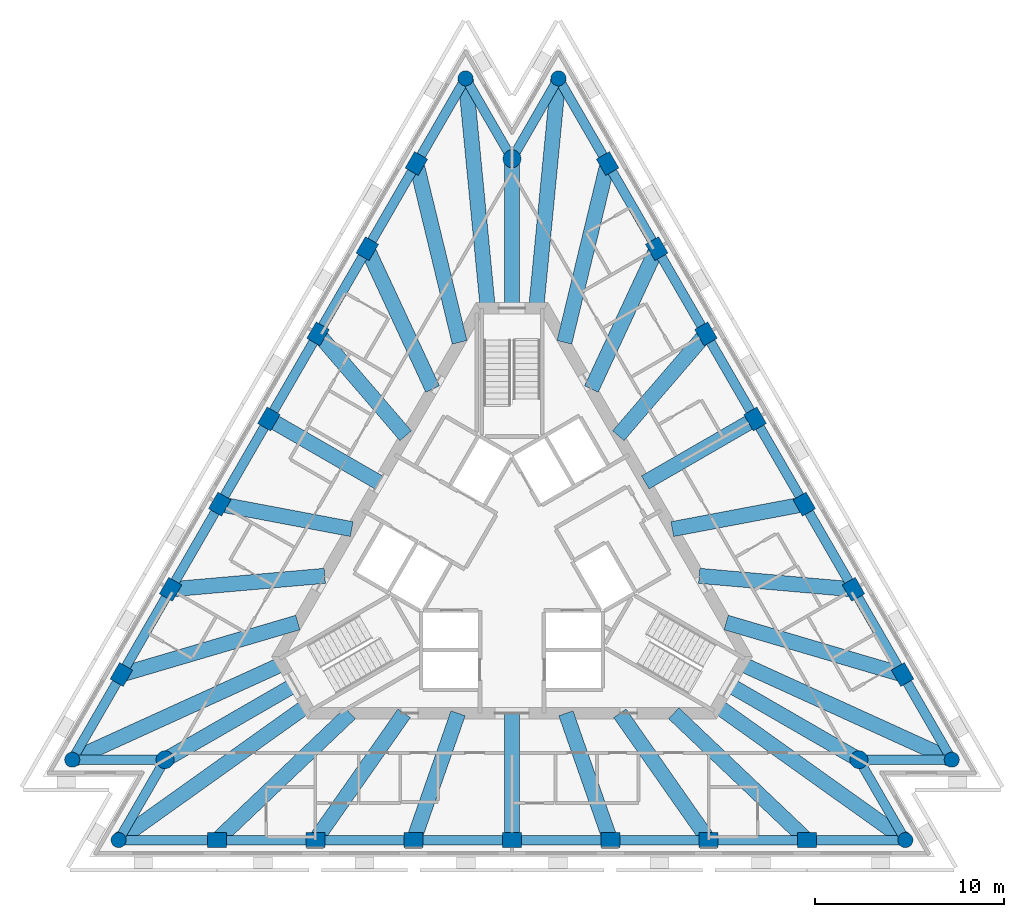
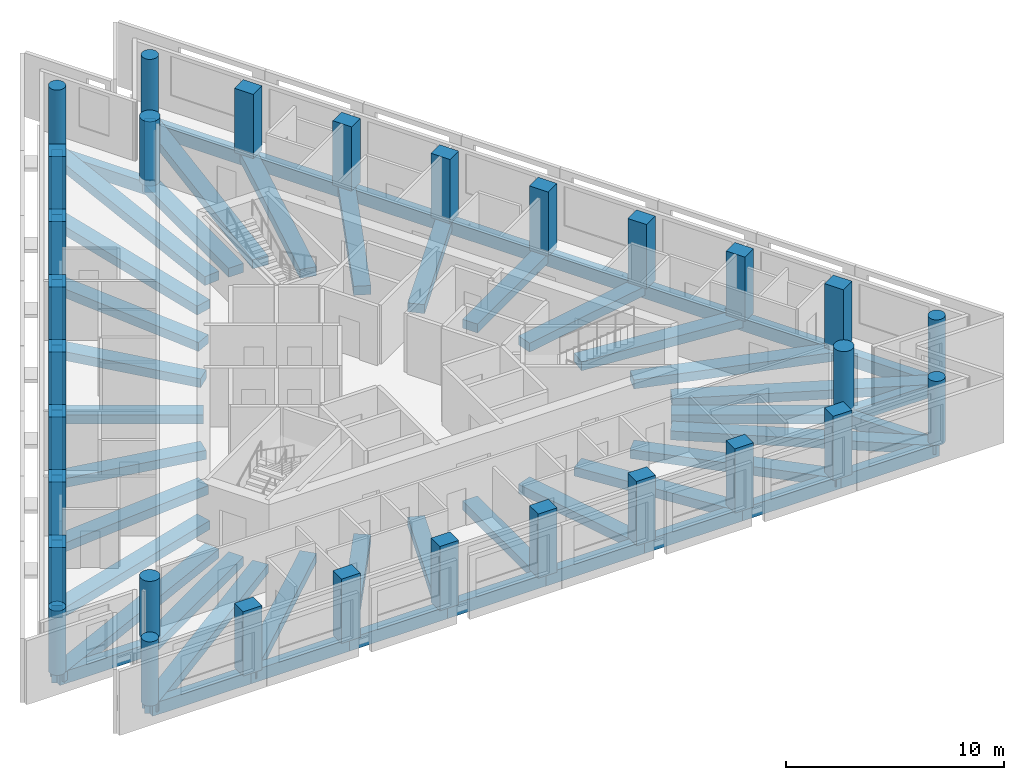
# One storey, part 1 of 10: 60 beams, 30 columns.
"""IFC4 building model written with IfcOpenShell, lengths in metres."""

from ifc_helpers import new_model, si_unit, direction, frame, origin, origin_2d, place, context, subcontext, project, spatial, rectangle, circle, extrude, material, material_profile, profile_set, type_object, element, save


model = new_model("IFC4")

# Units and contexts
model_context = context("Model", 3, precision=1e-05, world=origin(), true_north=direction((0.0, 1.0)))
body_context = subcontext(model_context, "Body", "Model", "MODEL_VIEW")
ifc_project = project(units=[si_unit("LENGTHUNIT", "METRE"), si_unit("AREAUNIT", "SQUARE_METRE"), si_unit("VOLUMEUNIT", "CUBIC_METRE"), si_unit("PLANEANGLEUNIT", "RADIAN"), si_unit("MASSUNIT", "GRAM", prefix="KILO")], contexts=[model_context])

# Site, building, storey
site_placement = place(None, origin())
site = spatial("IfcSite", under=ifc_project, at=site_placement, CompositionType="ELEMENT")
building_placement = place(site_placement, origin())
building = spatial("IfcBuilding", under=site, at=building_placement, Name="Triada Interchange Tower", CompositionType="ELEMENT")
storey_placement = place(building_placement, frame((0.0, 0.0, 315.10009765625)))
storey = spatial("IfcBuildingStorey", under=building, at=storey_placement, Name="L75", CompositionType="ELEMENT", Elevation=315.10009765625)

# Columns
ifc_material_1 = material(Name="Concrete C40/50", Category="concrete")
ifc_material_profile_1 = material_profile(ifc_material_1, rectangle(XDim=1.0, YDim=0.800048828125, at=origin_2d()), Name="RC 1000x800")
ifc_profile_set_1 = profile_set([ifc_material_profile_1], Name="Concrete C40/50")
column_type_1 = type_object("IfcColumnType", Name="Column D face RC 1000x800", PredefinedType="COLUMN", material=ifc_profile_set_1)
for number, where, z_axis, x_axis, name in (
    (1, (-5.06103515625, 20.9599609375, -0.300048828125), (0.0, 0.0, 1.0), (0.5, 0.866025403784, 0.0), "Column CD02 L75"),
    (2, (-7.6640625, 16.450927734375, -0.300048828125), (0.0, 0.0, 1.0), (0.5, 0.866025403784, 0.0), "Column CD03 L75"),
    (3, (-10.26806640625, 11.94091796875, -0.300048828125), (0.0, 0.0, 1.0), (0.5, 0.866025403784, 0.0), "Column CD04 L75"),
    (4, (-12.8720703125, 7.431884765625, -0.300048828125), (0.0, 0.0, 1.0), (0.5, 0.866025403784, 0.0), "Column CD05 L75"),
    (5, (-15.47509765625, 2.922119140625, -0.300048828125), (0.0, 0.0, 1.0), (0.5, 0.866025403784, 0.0), "Column CD06 L75"),
    (6, (-18.0791015625, -1.587890625, -0.300048828125), (0.0, 0.0, 1.0), (0.5, 0.866025403784, 0.0), "Column CD07 L75"),
    (7, (-20.681884765625, -6.096923828125, -0.300048828125), (0.0, 0.0, 1.0), (0.5, 0.866025403784, 0.0), "Column CD08 L75"),
    (8, (-15.6220703125, -14.863037109375, -0.300048828125), (0.0, 0.0, 1.0), (1.0, 0.0, 0.0), "Column CD11 L75"),
    (9, (-10.4140625, -14.863037109375, -0.300048828125), (0.0, 0.0, 1.0), (1.0, 0.0, 0.0), "Column CD12 L75"),
    (10, (-5.20703125, -14.863037109375, -0.300048828125), (0.0, 0.0, 1.0), (1.0, 0.0, 0.0), "Column CD13 L75"),
    (11, (0.0, -14.863037109375, -0.300048828125), (0.0, 0.0, 1.0), (1.0, 0.0, 0.0), "Column CD14 L75"),
    (12, (5.20703125, -14.863037109375, -0.300048828125), (0.0, 0.0, 1.0), (1.0, 0.0, 0.0), "Column CD15 L75"),
    (13, (10.4140625, -14.863037109375, -0.300048828125), (0.0, 0.0, 1.0), (1.0, 0.0, 0.0), "Column CD16 L75"),
    (14, (15.6220703125, -14.863037109375, -0.300048828125), (0.0, 0.0, 1.0), (1.0, 0.0, 0.0), "Column CD17 L75"),
    (15, (20.681884765625, -6.096923828125, -0.300048828125), (0.0, 0.0, 1.0), (-0.5, 0.866025403784, 0.0), "Column CD20 L75"),
    (16, (18.0791015625, -1.587890625, -0.300048828125), (0.0, 0.0, 1.0), (-0.5, 0.866025403784, 0.0), "Column CD21 L75"),
    (17, (15.47509765625, 2.922119140625, -0.300048828125), (0.0, 0.0, 1.0), (-0.5, 0.866025403784, 0.0), "Column CD22 L75"),
    (18, (12.8720703125, 7.431884765625, -0.300048828125), (0.0, 0.0, 1.0), (-0.5, 0.866025403784, 0.0), "Column CD23 L75"),
    (19, (10.26806640625, 11.94091796875, -0.300048828125), (0.0, 0.0, 1.0), (-0.5, 0.866025403784, 0.0), "Column CD24 L75"),
    (20, (7.6640625, 16.450927734375, -0.300048828125), (0.0, 0.0, 1.0), (-0.5, 0.866025403784, 0.0), "Column CD25 L75"),
    (21, (5.06103515625, 20.9599609375, -0.300048828125), (0.0, 0.0, 1.0), (-0.5, 0.866025403784, 0.0), "Column CD26 L75"),
):
    element("IfcColumn", number, at=place(storey_placement, frame(where, z_axis=z_axis, x_axis=x_axis)), inside=storey, type_object=column_type_1, Name=name, PredefinedType="COLUMN", context=body_context, shape_type="SweptSolid", body=[
        extrude(rectangle(XDim=1.0, YDim=0.800048828125, at=origin_2d()), origin(), (0.0, 0.0, 1.0), 3.599853515625),
    ])
ifc_material_profile_2 = material_profile(ifc_material_1, circle(Radius=0.39990234375, at=origin_2d()), Name="RC D800")
ifc_profile_set_2 = profile_set([ifc_material_profile_2], Name="Concrete C40/50")
column_type_2 = type_object("IfcColumnType", Name="End column D RC D800", PredefinedType="COLUMN", material=ifc_profile_set_2)
for number, where, z_axis, x_axis, name in (
    (22, (-2.45703125, 25.469970703125, -0.300048828125), (0.0, 0.0, 1.0), (0.5, 0.866025403784, 0.0), "Column CD01 L75"),
    (23, (-23.285888671875, -10.60693359375, -0.300048828125), (0.0, 0.0, 1.0), (0.5, 0.866025403784, 0.0), "Column CD09 L75"),
    (24, (-20.8291015625, -14.863037109375, -0.300048828125), (0.0, 0.0, 1.0), (1.0, 0.0, 0.0), "Column CD10 L75"),
    (25, (20.8291015625, -14.863037109375, -0.300048828125), (0.0, 0.0, 1.0), (1.0, 0.0, 0.0), "Column CD18 L75"),
    (26, (23.285888671875, -10.60693359375, -0.300048828125), (0.0, 0.0, 1.0), (-0.5, 0.866025403784, 0.0), "Column CD19 L75"),
    (27, (2.45703125, 25.469970703125, -0.300048828125), (0.0, 0.0, 1.0), (-0.5, 0.866025403784, 0.0), "Column CD27 L75"),
):
    element("IfcColumn", number, at=place(storey_placement, frame(where, z_axis=z_axis, x_axis=x_axis)), inside=storey, type_object=column_type_2, Name=name, PredefinedType="COLUMN", context=body_context, shape_type="SweptSolid", body=[
        extrude(circle(Radius=0.39990234375, at=origin_2d()), origin(), (0.0, 0.0, 1.0), 3.599853515625),
    ])
ifc_material_profile_3 = material_profile(ifc_material_1, circle(Radius=0.47509765625, at=origin_2d()), Name="RC D950")
ifc_profile_set_3 = profile_set([ifc_material_profile_3], Name="Concrete C40/50")
column_type_3 = type_object("IfcColumnType", Name="Mega column D RC D950", PredefinedType="COLUMN", material=ifc_profile_set_3)
for number, where, z_axis, x_axis, name in (
    (28, (0.0, 21.214111328125, -0.300048828125), (0.0, 0.0, 1.0), (1.0, 0.0, 0.0), "Column MD1 L75"),
    (29, (-18.3720703125, -10.60693359375, -0.300048828125), (0.0, 0.0, 1.0), (1.0, 0.0, 0.0), "Column MD2 L75"),
    (30, (18.3720703125, -10.60693359375, -0.300048828125), (0.0, 0.0, 1.0), (1.0, 0.0, 0.0), "Column MD3 L75"),
):
    element("IfcColumn", number, at=place(storey_placement, frame(where, z_axis=z_axis, x_axis=x_axis)), inside=storey, type_object=column_type_3, Name=name, PredefinedType="COLUMN", context=body_context, shape_type="SweptSolid", body=[
        extrude(circle(Radius=0.47509765625, at=origin_2d()), origin(), (0.0, 0.0, 1.0), 3.599853515625),
    ])

# Beams
ifc_material_2 = material(Name="Concrete C50/60", Category="concrete")
ifc_material_profile_4 = material_profile(ifc_material_2, rectangle(XDim=0.800048828125, YDim=0.5, at=origin_2d()), Name="RC 800x500")
ifc_profile_set_4 = profile_set([ifc_material_profile_4], Name="Concrete C50/60")
beam_type_1 = type_object("IfcBeamType", Name="Radial band beam D RC 800x500", PredefinedType="BEAM", material=ifc_profile_set_4)
beam_1_placement = place(storey_placement, frame((-2.45703125, 25.469970703125, -0.550048828125), z_axis=(0.09602744551, -0.995378686586, 0.0), x_axis=(0.995378686586, 0.09602744551, 0.0)))
element("IfcBeam", 31, at=beam_1_placement, inside=storey, type_object=beam_type_1, Name="Radial band beam BD01 L75", PredefinedType="BEAM", context=body_context, shape_type="SweptSolid", body=[
    extrude(rectangle(XDim=0.800048828125, YDim=0.5, at=origin_2d()), origin(), (0.0, 0.0, 1.0), 12.226318359375),
])
beam_2_placement = place(storey_placement, frame((-5.06103515625, 20.9599609375, -0.550048828125), z_axis=(0.234736099934, -0.972059135746, 0.0), x_axis=(0.972059135746, 0.234736099934, 0.0)))
element("IfcBeam", 32, at=beam_2_placement, inside=storey, type_object=beam_type_1, Name="Radial band beam BD02 L75", PredefinedType="BEAM", context=body_context, shape_type="SweptSolid", body=[
    extrude(rectangle(XDim=0.800048828125, YDim=0.5, at=origin_2d()), origin(), (0.0, 0.0, 1.0), 9.7392578125),
])
beam_3_placement = place(storey_placement, frame((-7.6640625, 16.450927734375, -0.550048828125), z_axis=(0.422272260862, -0.906469049503, 0.0), x_axis=(0.906469049503, 0.422272260862, 0.0)))
element("IfcBeam", 33, at=beam_3_placement, inside=storey, type_object=beam_type_1, Name="Radial band beam BD03 L75", PredefinedType="BEAM", context=body_context, shape_type="SweptSolid", body=[
    extrude(rectangle(XDim=0.800048828125, YDim=0.5, at=origin_2d()), origin(), (0.0, 0.0, 1.0), 8.196533203125),
])
beam_4_placement = place(storey_placement, frame((-10.26806640625, 11.94091796875, -0.550048828125), z_axis=(0.652068074726, -0.758160422288, 0.0), x_axis=(0.758160422288, 0.652068074726, 0.0)))
element("IfcBeam", 34, at=beam_4_placement, inside=storey, type_object=beam_type_1, Name="Radial band beam BD04 L75", PredefinedType="BEAM", context=body_context, shape_type="SweptSolid", body=[
    extrude(rectangle(XDim=0.800048828125, YDim=0.5, at=origin_2d()), origin(), (0.0, 0.0, 1.0), 7.113037109375),
])
beam_5_placement = place(storey_placement, frame((-12.8720703125, 7.431884765625, -0.550048828125), z_axis=(0.86600996069, -0.50002674727, 0.0), x_axis=(0.50002674727, 0.86600996069, 0.0)))
element("IfcBeam", 35, at=beam_5_placement, inside=storey, type_object=beam_type_1, Name="Radial band beam BD05 L75", PredefinedType="BEAM", context=body_context, shape_type="SweptSolid", body=[
    extrude(rectangle(XDim=0.800048828125, YDim=0.5, at=origin_2d()), origin(), (0.0, 0.0, 1.0), 6.713623046875),
])
beam_6_placement = place(storey_placement, frame((-15.47509765625, 2.922119140625, -0.550048828125), z_axis=(0.982626118803, -0.185596095447, 0.0), x_axis=(0.185596095447, 0.982626118803, 0.0)))
element("IfcBeam", 36, at=beam_6_placement, inside=storey, type_object=beam_type_1, Name="Radial band beam BD06 L75", PredefinedType="BEAM", context=body_context, shape_type="SweptSolid", body=[
    extrude(rectangle(XDim=0.800048828125, YDim=0.5, at=origin_2d()), origin(), (0.0, 0.0, 1.0), 7.112548828125),
])
beam_7_placement = place(storey_placement, frame((-18.0791015625, -1.587890625, -0.550048828125), z_axis=(0.996169628098, 0.087441820979, 0.0), x_axis=(-0.087441820979, 0.996169628098, 0.0)))
element("IfcBeam", 37, at=beam_7_placement, inside=storey, type_object=beam_type_1, Name="Radial band beam BD07 L75", PredefinedType="BEAM", context=body_context, shape_type="SweptSolid", body=[
    extrude(rectangle(XDim=0.800048828125, YDim=0.5, at=origin_2d()), origin(), (0.0, 0.0, 1.0), 8.197509765625),
])
beam_8_placement = place(storey_placement, frame((-20.681884765625, -6.096923828125, -0.550048828125), z_axis=(0.959181663984, 0.282790621269, 0.0), x_axis=(-0.282790621269, 0.959181663984, 0.0)))
element("IfcBeam", 38, at=beam_8_placement, inside=storey, type_object=beam_type_1, Name="Radial band beam BD08 L75", PredefinedType="BEAM", context=body_context, shape_type="SweptSolid", body=[
    extrude(rectangle(XDim=0.800048828125, YDim=0.5, at=origin_2d()), origin(), (0.0, 0.0, 1.0), 9.73828125),
])
beam_9_placement = place(storey_placement, frame((-23.285888671875, -10.60693359375, -0.550048828125), z_axis=(0.910039299284, 0.414521982238, 0.0), x_axis=(-0.414521982238, 0.910039299284, 0.0)))
element("IfcBeam", 39, at=beam_9_placement, inside=storey, type_object=beam_type_1, Name="Radial band beam BD09 L75", PredefinedType="BEAM", context=body_context, shape_type="SweptSolid", body=[
    extrude(rectangle(XDim=0.800048828125, YDim=0.5, at=origin_2d()), origin(), (0.0, 0.0, 1.0), 12.225830078125),
])
beam_10_placement = place(storey_placement, frame((-18.3720703125, -10.60693359375, -0.550048828125), z_axis=(0.866032502725, 0.499987704073, 0.0), x_axis=(-0.499987704073, 0.866032502725, 0.0)))
element("IfcBeam", 40, at=beam_10_placement, inside=storey, type_object=beam_type_1, Name="Radial band beam BD10 L75", PredefinedType="BEAM", context=body_context, shape_type="SweptSolid", body=[
    extrude(rectangle(XDim=0.800048828125, YDim=0.5, at=origin_2d()), origin(), (0.0, 0.0, 1.0), 7.914306640625),
])
beam_11_placement = place(storey_placement, frame((-20.8291015625, -14.863037109375, -0.550048828125), z_axis=(0.814016690787, 0.580841481922, 0.0), x_axis=(-0.580841481922, 0.814016690787, 0.0)))
element("IfcBeam", 41, at=beam_11_placement, inside=storey, type_object=beam_type_1, Name="Radial band beam BD11 L75", PredefinedType="BEAM", context=body_context, shape_type="SweptSolid", body=[
    extrude(rectangle(XDim=0.800048828125, YDim=0.5, at=origin_2d()), origin(), (0.0, 0.0, 1.0), 12.227294921875),
])
beam_12_placement = place(storey_placement, frame((-15.6220703125, -14.863037109375, -0.550048828125), z_axis=(0.724497300628, 0.689277637373, 0.0), x_axis=(-0.689277637373, 0.724497300628, 0.0)))
element("IfcBeam", 42, at=beam_12_placement, inside=storey, type_object=beam_type_1, Name="Radial band beam BD12 L75", PredefinedType="BEAM", context=body_context, shape_type="SweptSolid", body=[
    extrude(rectangle(XDim=0.800048828125, YDim=0.5, at=origin_2d()), origin(), (0.0, 0.0, 1.0), 9.7392578125),
])
beam_13_placement = place(storey_placement, frame((-10.4140625, -14.863037109375, -0.550048828125), z_axis=(0.573864049715, 0.818950579977, 0.0), x_axis=(-0.818950579977, 0.573864049715, 0.0)))
element("IfcBeam", 43, at=beam_13_placement, inside=storey, type_object=beam_type_1, Name="Radial band beam BD13 L75", PredefinedType="BEAM", context=body_context, shape_type="SweptSolid", body=[
    extrude(rectangle(XDim=0.800048828125, YDim=0.5, at=origin_2d()), origin(), (0.0, 0.0, 1.0), 8.197265625),
])
beam_14_placement = place(storey_placement, frame((-5.20703125, -14.863037109375, -0.550048828125), z_axis=(0.330657699543, 0.94375075403, 0.0), x_axis=(-0.94375075403, 0.330657699543, 0.0)))
element("IfcBeam", 44, at=beam_14_placement, inside=storey, type_object=beam_type_1, Name="Radial band beam BD14 L75", PredefinedType="BEAM", context=body_context, shape_type="SweptSolid", body=[
    extrude(rectangle(XDim=0.800048828125, YDim=0.5, at=origin_2d()), origin(), (0.0, 0.0, 1.0), 7.11328125),
])
beam_15_placement = place(storey_placement, frame((0.0, -14.863037109375, -0.550048828125), z_axis=(0.0, 1.0, 0.0), x_axis=(-1.0, 0.0, 0.0)))
element("IfcBeam", 45, at=beam_15_placement, inside=storey, type_object=beam_type_1, Name="Radial band beam BD15 L75", PredefinedType="BEAM", context=body_context, shape_type="SweptSolid", body=[
    extrude(rectangle(XDim=0.800048828125, YDim=0.5, at=origin_2d()), origin(), (0.0, 0.0, 1.0), 6.713134765625),
])
beam_16_placement = place(storey_placement, frame((5.20703125, -14.863037109375, -0.550048828125), z_axis=(-0.330657699543, 0.94375075403, 0.0), x_axis=(-0.94375075403, -0.330657699543, 0.0)))
element("IfcBeam", 46, at=beam_16_placement, inside=storey, type_object=beam_type_1, Name="Radial band beam BD16 L75", PredefinedType="BEAM", context=body_context, shape_type="SweptSolid", body=[
    extrude(rectangle(XDim=0.800048828125, YDim=0.5, at=origin_2d()), origin(), (0.0, 0.0, 1.0), 7.11328125),
])
beam_17_placement = place(storey_placement, frame((10.4140625, -14.863037109375, -0.550048828125), z_axis=(-0.573864049715, 0.818950579977, 0.0), x_axis=(-0.818950579977, -0.573864049715, 0.0)))
element("IfcBeam", 47, at=beam_17_placement, inside=storey, type_object=beam_type_1, Name="Radial band beam BD17 L75", PredefinedType="BEAM", context=body_context, shape_type="SweptSolid", body=[
    extrude(rectangle(XDim=0.800048828125, YDim=0.5, at=origin_2d()), origin(), (0.0, 0.0, 1.0), 8.197265625),
])
beam_18_placement = place(storey_placement, frame((15.6220703125, -14.863037109375, -0.550048828125), z_axis=(-0.724497300628, 0.689277637373, 0.0), x_axis=(-0.689277637373, -0.724497300628, 0.0)))
element("IfcBeam", 48, at=beam_18_placement, inside=storey, type_object=beam_type_1, Name="Radial band beam BD18 L75", PredefinedType="BEAM", context=body_context, shape_type="SweptSolid", body=[
    extrude(rectangle(XDim=0.800048828125, YDim=0.5, at=origin_2d()), origin(), (0.0, 0.0, 1.0), 9.7392578125),
])
beam_19_placement = place(storey_placement, frame((20.8291015625, -14.863037109375, -0.550048828125), z_axis=(-0.814016690787, 0.580841481922, 0.0), x_axis=(-0.580841481922, -0.814016690787, 0.0)))
element("IfcBeam", 49, at=beam_19_placement, inside=storey, type_object=beam_type_1, Name="Radial band beam BD19 L75", PredefinedType="BEAM", context=body_context, shape_type="SweptSolid", body=[
    extrude(rectangle(XDim=0.800048828125, YDim=0.5, at=origin_2d()), origin(), (0.0, 0.0, 1.0), 12.227294921875),
])
beam_20_placement = place(storey_placement, frame((18.3720703125, -10.60693359375, -0.550048828125), z_axis=(-0.866032502725, 0.499987704073, 0.0), x_axis=(-0.499987704073, -0.866032502725, 0.0)))
element("IfcBeam", 50, at=beam_20_placement, inside=storey, type_object=beam_type_1, Name="Radial band beam BD20 L75", PredefinedType="BEAM", context=body_context, shape_type="SweptSolid", body=[
    extrude(rectangle(XDim=0.800048828125, YDim=0.5, at=origin_2d()), origin(), (0.0, 0.0, 1.0), 7.914306640625),
])
beam_21_placement = place(storey_placement, frame((23.285888671875, -10.60693359375, -0.550048828125), z_axis=(-0.910039299284, 0.414521982238, 0.0), x_axis=(-0.414521982238, -0.910039299284, 0.0)))
element("IfcBeam", 51, at=beam_21_placement, inside=storey, type_object=beam_type_1, Name="Radial band beam BD21 L75", PredefinedType="BEAM", context=body_context, shape_type="SweptSolid", body=[
    extrude(rectangle(XDim=0.800048828125, YDim=0.5, at=origin_2d()), origin(), (0.0, 0.0, 1.0), 12.225830078125),
])
beam_22_placement = place(storey_placement, frame((20.681884765625, -6.096923828125, -0.550048828125), z_axis=(-0.959181663984, 0.282790621269, 0.0), x_axis=(-0.282790621269, -0.959181663984, 0.0)))
element("IfcBeam", 52, at=beam_22_placement, inside=storey, type_object=beam_type_1, Name="Radial band beam BD22 L75", PredefinedType="BEAM", context=body_context, shape_type="SweptSolid", body=[
    extrude(rectangle(XDim=0.800048828125, YDim=0.5, at=origin_2d()), origin(), (0.0, 0.0, 1.0), 9.73828125),
])
beam_23_placement = place(storey_placement, frame((18.0791015625, -1.587890625, -0.550048828125), z_axis=(-0.996169628098, 0.087441820979, 0.0), x_axis=(-0.087441820979, -0.996169628098, 0.0)))
element("IfcBeam", 53, at=beam_23_placement, inside=storey, type_object=beam_type_1, Name="Radial band beam BD23 L75", PredefinedType="BEAM", context=body_context, shape_type="SweptSolid", body=[
    extrude(rectangle(XDim=0.800048828125, YDim=0.5, at=origin_2d()), origin(), (0.0, 0.0, 1.0), 8.197509765625),
])
beam_24_placement = place(storey_placement, frame((15.47509765625, 2.922119140625, -0.550048828125), z_axis=(-0.982626118803, -0.185596095447, 0.0), x_axis=(0.185596095447, -0.982626118803, 0.0)))
element("IfcBeam", 54, at=beam_24_placement, inside=storey, type_object=beam_type_1, Name="Radial band beam BD24 L75", PredefinedType="BEAM", context=body_context, shape_type="SweptSolid", body=[
    extrude(rectangle(XDim=0.800048828125, YDim=0.5, at=origin_2d()), origin(), (0.0, 0.0, 1.0), 7.112548828125),
])
beam_25_placement = place(storey_placement, frame((12.8720703125, 7.431884765625, -0.550048828125), z_axis=(-0.86600996069, -0.50002674727, 0.0), x_axis=(0.50002674727, -0.86600996069, 0.0)))
element("IfcBeam", 55, at=beam_25_placement, inside=storey, type_object=beam_type_1, Name="Radial band beam BD25 L75", PredefinedType="BEAM", context=body_context, shape_type="SweptSolid", body=[
    extrude(rectangle(XDim=0.800048828125, YDim=0.5, at=origin_2d()), origin(), (0.0, 0.0, 1.0), 6.713623046875),
])
beam_26_placement = place(storey_placement, frame((10.26806640625, 11.94091796875, -0.550048828125), z_axis=(-0.652068074726, -0.758160422288, 0.0), x_axis=(0.758160422288, -0.652068074726, 0.0)))
element("IfcBeam", 56, at=beam_26_placement, inside=storey, type_object=beam_type_1, Name="Radial band beam BD26 L75", PredefinedType="BEAM", context=body_context, shape_type="SweptSolid", body=[
    extrude(rectangle(XDim=0.800048828125, YDim=0.5, at=origin_2d()), origin(), (0.0, 0.0, 1.0), 7.113037109375),
])
beam_27_placement = place(storey_placement, frame((7.6640625, 16.450927734375, -0.550048828125), z_axis=(-0.422272260862, -0.906469049503, 0.0), x_axis=(0.906469049503, -0.422272260862, 0.0)))
element("IfcBeam", 57, at=beam_27_placement, inside=storey, type_object=beam_type_1, Name="Radial band beam BD27 L75", PredefinedType="BEAM", context=body_context, shape_type="SweptSolid", body=[
    extrude(rectangle(XDim=0.800048828125, YDim=0.5, at=origin_2d()), origin(), (0.0, 0.0, 1.0), 8.196533203125),
])
beam_28_placement = place(storey_placement, frame((5.06103515625, 20.9599609375, -0.550048828125), z_axis=(-0.234736099934, -0.972059135746, 0.0), x_axis=(0.972059135746, -0.234736099934, 0.0)))
element("IfcBeam", 58, at=beam_28_placement, inside=storey, type_object=beam_type_1, Name="Radial band beam BD28 L75", PredefinedType="BEAM", context=body_context, shape_type="SweptSolid", body=[
    extrude(rectangle(XDim=0.800048828125, YDim=0.5, at=origin_2d()), origin(), (0.0, 0.0, 1.0), 9.7392578125),
])
beam_29_placement = place(storey_placement, frame((2.45703125, 25.469970703125, -0.550048828125), z_axis=(-0.09602744551, -0.995378686586, 0.0), x_axis=(0.995378686586, -0.09602744551, 0.0)))
element("IfcBeam", 59, at=beam_29_placement, inside=storey, type_object=beam_type_1, Name="Radial band beam BD29 L75", PredefinedType="BEAM", context=body_context, shape_type="SweptSolid", body=[
    extrude(rectangle(XDim=0.800048828125, YDim=0.5, at=origin_2d()), origin(), (0.0, 0.0, 1.0), 12.226318359375),
])
beam_30_placement = place(storey_placement, frame((0.0, 21.214111328125, -0.550048828125), z_axis=(0.0, -1.0, 0.0), x_axis=(1.0, 0.0, 0.0)))
element("IfcBeam", 60, at=beam_30_placement, inside=storey, type_object=beam_type_1, Name="Radial band beam BD30 L75", PredefinedType="BEAM", context=body_context, shape_type="SweptSolid", body=[
    extrude(rectangle(XDim=0.800048828125, YDim=0.5, at=origin_2d()), origin(), (0.0, 0.0, 1.0), 7.9140625),
])
ifc_material_profile_5 = material_profile(ifc_material_2, rectangle(XDim=0.5, YDim=0.699951171875, at=origin_2d()), Name="RC 500x700")
ifc_profile_set_5 = profile_set([ifc_material_profile_5], Name="Concrete C50/60")
beam_type_2 = type_object("IfcBeamType", Name="Spandrel beam D RC 500x700", PredefinedType="BEAM", material=ifc_profile_set_5)
beam_31_placement = place(storey_placement, frame((-2.45703125, 25.469970703125, -0.650146484375), z_axis=(-0.500021393879, -0.866013051671, 0.0), x_axis=(0.866013051671, -0.500021393879, 0.0)))
element("IfcBeam", 61, at=beam_31_placement, inside=storey, type_object=beam_type_2, Name="Spandrel beam ED01 L75", PredefinedType="BEAM", context=body_context, shape_type="SweptSolid", body=[
    extrude(rectangle(XDim=0.5, YDim=0.699951171875, at=origin_2d()), origin(), (0.0, 0.0, 1.0), 5.207763671875),
])
beam_32_placement = place(storey_placement, frame((-5.06103515625, 20.9599609375, -0.650146484375), z_axis=(-0.499961942423, -0.866047375222, 0.0), x_axis=(0.866047375222, -0.499961942423, 0.0)))
element("IfcBeam", 62, at=beam_32_placement, inside=storey, type_object=beam_type_2, Name="Spandrel beam ED02 L75", PredefinedType="BEAM", context=body_context, shape_type="SweptSolid", body=[
    extrude(rectangle(XDim=0.5, YDim=0.699951171875, at=origin_2d()), origin(), (0.0, 0.0, 1.0), 5.20654296875),
])
beam_33_placement = place(storey_placement, frame((-7.6640625, 16.450927734375, -0.650146484375), z_axis=(-0.500021393879, -0.866013051671, 0.0), x_axis=(0.866013051671, -0.500021393879, 0.0)))
element("IfcBeam", 63, at=beam_33_placement, inside=storey, type_object=beam_type_2, Name="Spandrel beam ED03 L75", PredefinedType="BEAM", context=body_context, shape_type="SweptSolid", body=[
    extrude(rectangle(XDim=0.5, YDim=0.699951171875, at=origin_2d()), origin(), (0.0, 0.0, 1.0), 5.207763671875),
])
for number, where, z_axis, x_axis, name in (
    (64, (-10.26806640625, 11.94091796875, -0.650146484375), (-0.500102605615, -0.8659661563, 0.0), (0.8659661563, -0.500102605615, 0.0), "Spandrel beam ED04 L75"),
    (65, (-12.8720703125, 7.431884765625, -0.650146484375), (-0.499901037272, -0.866082532404, 0.0), (0.866082532404, -0.499901037272, 0.0), "Spandrel beam ED05 L75"),
):
    element("IfcBeam", number, at=place(storey_placement, frame(where, z_axis=z_axis, x_axis=x_axis)), inside=storey, type_object=beam_type_2, Name=name, PredefinedType="BEAM", context=body_context, shape_type="SweptSolid", body=[
        extrude(rectangle(XDim=0.5, YDim=0.699951171875, at=origin_2d()), origin(), (0.0, 0.0, 1.0), 5.20703125),
    ])
beam_34_placement = place(storey_placement, frame((-15.47509765625, 2.922119140625, -0.650146484375), z_axis=(-0.500021393879, -0.866013051671, 0.0), x_axis=(0.866013051671, -0.500021393879, 0.0)))
element("IfcBeam", 66, at=beam_34_placement, inside=storey, type_object=beam_type_2, Name="Spandrel beam ED06 L75", PredefinedType="BEAM", context=body_context, shape_type="SweptSolid", body=[
    extrude(rectangle(XDim=0.5, YDim=0.699951171875, at=origin_2d()), origin(), (0.0, 0.0, 1.0), 5.207763671875),
])
beam_35_placement = place(storey_placement, frame((-18.0791015625, -1.587890625, -0.650146484375), z_axis=(-0.499926770441, -0.866067678762, 0.0), x_axis=(0.866067678762, -0.499926770441, 0.0)))
element("IfcBeam", 67, at=beam_35_placement, inside=storey, type_object=beam_type_2, Name="Spandrel beam ED07 L75", PredefinedType="BEAM", context=body_context, shape_type="SweptSolid", body=[
    extrude(rectangle(XDim=0.5, YDim=0.699951171875, at=origin_2d()), origin(), (0.0, 0.0, 1.0), 5.206298828125),
])
beam_36_placement = place(storey_placement, frame((-20.681884765625, -6.096923828125, -0.650146484375), z_axis=(-0.500021393879, -0.866013051671, 0.0), x_axis=(0.866013051671, -0.500021393879, 0.0)))
element("IfcBeam", 68, at=beam_36_placement, inside=storey, type_object=beam_type_2, Name="Spandrel beam ED08 L75", PredefinedType="BEAM", context=body_context, shape_type="SweptSolid", body=[
    extrude(rectangle(XDim=0.5, YDim=0.699951171875, at=origin_2d()), origin(), (0.0, 0.0, 1.0), 5.207763671875),
])
beam_37_placement = place(storey_placement, frame((-23.285888671875, -10.60693359375, -0.650146484375), z_axis=(1.0, 0.0, 0.0), x_axis=(0.0, 1.0, 0.0)))
element("IfcBeam", 69, at=beam_37_placement, inside=storey, type_object=beam_type_2, Name="Spandrel beam ED09 L75", PredefinedType="BEAM", context=body_context, shape_type="SweptSolid", body=[
    extrude(rectangle(XDim=0.5, YDim=0.699951171875, at=origin_2d()), origin(), (0.0, 0.0, 1.0), 4.913818359375),
])
beam_38_placement = place(storey_placement, frame((-18.3720703125, -10.60693359375, -0.650146484375), z_axis=(-0.499964706364, -0.866045779616, 0.0), x_axis=(0.866045779616, -0.499964706364, 0.0)))
element("IfcBeam", 70, at=beam_38_placement, inside=storey, type_object=beam_type_2, Name="Spandrel beam ED10 L75", PredefinedType="BEAM", context=body_context, shape_type="SweptSolid", body=[
    extrude(rectangle(XDim=0.5, YDim=0.699951171875, at=origin_2d()), origin(), (0.0, 0.0, 1.0), 4.914306640625),
])
beam_39_placement = place(storey_placement, frame((-20.8291015625, -14.863037109375, -0.650146484375), z_axis=(1.0, 0.0, 0.0), x_axis=(0.0, 1.0, 0.0)))
element("IfcBeam", 71, at=beam_39_placement, inside=storey, type_object=beam_type_2, Name="Spandrel beam ED11 L75", PredefinedType="BEAM", context=body_context, shape_type="SweptSolid", body=[
    extrude(rectangle(XDim=0.5, YDim=0.699951171875, at=origin_2d()), origin(), (0.0, 0.0, 1.0), 5.20703125),
])
beam_40_placement = place(storey_placement, frame((-15.6220703125, -14.863037109375, -0.650146484375), z_axis=(1.0, 0.0, 0.0), x_axis=(0.0, 1.0, 0.0)))
element("IfcBeam", 72, at=beam_40_placement, inside=storey, type_object=beam_type_2, Name="Spandrel beam ED12 L75", PredefinedType="BEAM", context=body_context, shape_type="SweptSolid", body=[
    extrude(rectangle(XDim=0.5, YDim=0.699951171875, at=origin_2d()), origin(), (0.0, 0.0, 1.0), 5.2080078125),
])
for number, where, z_axis, x_axis, name in (
    (73, (-10.4140625, -14.863037109375, -0.650146484375), (1.0, 0.0, 0.0), (0.0, 1.0, 0.0), "Spandrel beam ED13 L75"),
    (74, (-5.20703125, -14.863037109375, -0.650146484375), (1.0, 0.0, 0.0), (0.0, 1.0, 0.0), "Spandrel beam ED14 L75"),
    (75, (0.0, -14.863037109375, -0.650146484375), (1.0, 0.0, 0.0), (0.0, 1.0, 0.0), "Spandrel beam ED15 L75"),
    (76, (5.20703125, -14.863037109375, -0.650146484375), (1.0, 0.0, 0.0), (0.0, 1.0, 0.0), "Spandrel beam ED16 L75"),
):
    element("IfcBeam", number, at=place(storey_placement, frame(where, z_axis=z_axis, x_axis=x_axis)), inside=storey, type_object=beam_type_2, Name=name, PredefinedType="BEAM", context=body_context, shape_type="SweptSolid", body=[
        extrude(rectangle(XDim=0.5, YDim=0.699951171875, at=origin_2d()), origin(), (0.0, 0.0, 1.0), 5.20703125),
    ])
beam_41_placement = place(storey_placement, frame((10.4140625, -14.863037109375, -0.650146484375), z_axis=(1.0, 0.0, 0.0), x_axis=(0.0, 1.0, 0.0)))
element("IfcBeam", 77, at=beam_41_placement, inside=storey, type_object=beam_type_2, Name="Spandrel beam ED17 L75", PredefinedType="BEAM", context=body_context, shape_type="SweptSolid", body=[
    extrude(rectangle(XDim=0.5, YDim=0.699951171875, at=origin_2d()), origin(), (0.0, 0.0, 1.0), 5.2080078125),
])
beam_42_placement = place(storey_placement, frame((15.6220703125, -14.863037109375, -0.650146484375), z_axis=(1.0, 0.0, 0.0), x_axis=(0.0, 1.0, 0.0)))
element("IfcBeam", 78, at=beam_42_placement, inside=storey, type_object=beam_type_2, Name="Spandrel beam ED18 L75", PredefinedType="BEAM", context=body_context, shape_type="SweptSolid", body=[
    extrude(rectangle(XDim=0.5, YDim=0.699951171875, at=origin_2d()), origin(), (0.0, 0.0, 1.0), 5.20703125),
])
beam_43_placement = place(storey_placement, frame((20.8291015625, -14.863037109375, -0.650146484375), z_axis=(-0.499964706364, 0.866045779616, 0.0), x_axis=(-0.866045779616, -0.499964706364, 0.0)))
element("IfcBeam", 79, at=beam_43_placement, inside=storey, type_object=beam_type_2, Name="Spandrel beam ED19 L75", PredefinedType="BEAM", context=body_context, shape_type="SweptSolid", body=[
    extrude(rectangle(XDim=0.5, YDim=0.699951171875, at=origin_2d()), origin(), (0.0, 0.0, 1.0), 4.914306640625),
])
beam_44_placement = place(storey_placement, frame((18.3720703125, -10.60693359375, -0.650146484375), z_axis=(1.0, 0.0, 0.0), x_axis=(0.0, 1.0, 0.0)))
element("IfcBeam", 80, at=beam_44_placement, inside=storey, type_object=beam_type_2, Name="Spandrel beam ED20 L75", PredefinedType="BEAM", context=body_context, shape_type="SweptSolid", body=[
    extrude(rectangle(XDim=0.5, YDim=0.699951171875, at=origin_2d()), origin(), (0.0, 0.0, 1.0), 4.913818359375),
])
beam_45_placement = place(storey_placement, frame((23.285888671875, -10.60693359375, -0.650146484375), z_axis=(-0.500021393879, 0.866013051671, 0.0), x_axis=(-0.866013051671, -0.500021393879, 0.0)))
element("IfcBeam", 81, at=beam_45_placement, inside=storey, type_object=beam_type_2, Name="Spandrel beam ED21 L75", PredefinedType="BEAM", context=body_context, shape_type="SweptSolid", body=[
    extrude(rectangle(XDim=0.5, YDim=0.699951171875, at=origin_2d()), origin(), (0.0, 0.0, 1.0), 5.207763671875),
])
beam_46_placement = place(storey_placement, frame((20.681884765625, -6.096923828125, -0.650146484375), z_axis=(-0.499926770441, 0.866067678762, 0.0), x_axis=(-0.866067678762, -0.499926770441, 0.0)))
element("IfcBeam", 82, at=beam_46_placement, inside=storey, type_object=beam_type_2, Name="Spandrel beam ED22 L75", PredefinedType="BEAM", context=body_context, shape_type="SweptSolid", body=[
    extrude(rectangle(XDim=0.5, YDim=0.699951171875, at=origin_2d()), origin(), (0.0, 0.0, 1.0), 5.206298828125),
])
beam_47_placement = place(storey_placement, frame((18.0791015625, -1.587890625, -0.650146484375), z_axis=(-0.500021393879, 0.866013051671, 0.0), x_axis=(-0.866013051671, -0.500021393879, 0.0)))
element("IfcBeam", 83, at=beam_47_placement, inside=storey, type_object=beam_type_2, Name="Spandrel beam ED23 L75", PredefinedType="BEAM", context=body_context, shape_type="SweptSolid", body=[
    extrude(rectangle(XDim=0.5, YDim=0.699951171875, at=origin_2d()), origin(), (0.0, 0.0, 1.0), 5.207763671875),
])
for number, where, z_axis, x_axis, name in (
    (84, (15.47509765625, 2.922119140625, -0.650146484375), (-0.499901037272, 0.866082532404, 0.0), (-0.866082532404, -0.499901037272, 0.0), "Spandrel beam ED24 L75"),
    (85, (12.8720703125, 7.431884765625, -0.650146484375), (-0.500102605615, 0.8659661563, 0.0), (-0.8659661563, -0.500102605615, 0.0), "Spandrel beam ED25 L75"),
):
    element("IfcBeam", number, at=place(storey_placement, frame(where, z_axis=z_axis, x_axis=x_axis)), inside=storey, type_object=beam_type_2, Name=name, PredefinedType="BEAM", context=body_context, shape_type="SweptSolid", body=[
        extrude(rectangle(XDim=0.5, YDim=0.699951171875, at=origin_2d()), origin(), (0.0, 0.0, 1.0), 5.20703125),
    ])
beam_48_placement = place(storey_placement, frame((10.26806640625, 11.94091796875, -0.650146484375), z_axis=(-0.500021393879, 0.866013051671, 0.0), x_axis=(-0.866013051671, -0.500021393879, 0.0)))
element("IfcBeam", 86, at=beam_48_placement, inside=storey, type_object=beam_type_2, Name="Spandrel beam ED26 L75", PredefinedType="BEAM", context=body_context, shape_type="SweptSolid", body=[
    extrude(rectangle(XDim=0.5, YDim=0.699951171875, at=origin_2d()), origin(), (0.0, 0.0, 1.0), 5.207763671875),
])
beam_49_placement = place(storey_placement, frame((7.6640625, 16.450927734375, -0.650146484375), z_axis=(-0.499961942423, 0.866047375222, 0.0), x_axis=(-0.866047375222, -0.499961942423, 0.0)))
element("IfcBeam", 87, at=beam_49_placement, inside=storey, type_object=beam_type_2, Name="Spandrel beam ED27 L75", PredefinedType="BEAM", context=body_context, shape_type="SweptSolid", body=[
    extrude(rectangle(XDim=0.5, YDim=0.699951171875, at=origin_2d()), origin(), (0.0, 0.0, 1.0), 5.20654296875),
])
beam_50_placement = place(storey_placement, frame((5.06103515625, 20.9599609375, -0.650146484375), z_axis=(-0.500021393879, 0.866013051671, 0.0), x_axis=(-0.866013051671, -0.500021393879, 0.0)))
element("IfcBeam", 88, at=beam_50_placement, inside=storey, type_object=beam_type_2, Name="Spandrel beam ED28 L75", PredefinedType="BEAM", context=body_context, shape_type="SweptSolid", body=[
    extrude(rectangle(XDim=0.5, YDim=0.699951171875, at=origin_2d()), origin(), (0.0, 0.0, 1.0), 5.207763671875),
])
for number, where, z_axis, x_axis, name in (
    (89, (2.45703125, 25.469970703125, -0.650146484375), (-0.499986217557, -0.866033360935, 0.0), (0.866033360935, -0.499986217557, 0.0), "Spandrel beam ED29 L75"),
    (90, (0.0, 21.214111328125, -0.650146484375), (-0.499986217557, 0.866033360935, 0.0), (-0.866033360935, -0.499986217557, 0.0), "Spandrel beam ED30 L75"),
):
    element("IfcBeam", number, at=place(storey_placement, frame(where, z_axis=z_axis, x_axis=x_axis)), inside=storey, type_object=beam_type_2, Name=name, PredefinedType="BEAM", context=body_context, shape_type="SweptSolid", body=[
        extrude(rectangle(XDim=0.5, YDim=0.699951171875, at=origin_2d()), origin(), (0.0, 0.0, 1.0), 4.914306640625),
    ])

save(model, "model.ifc")
